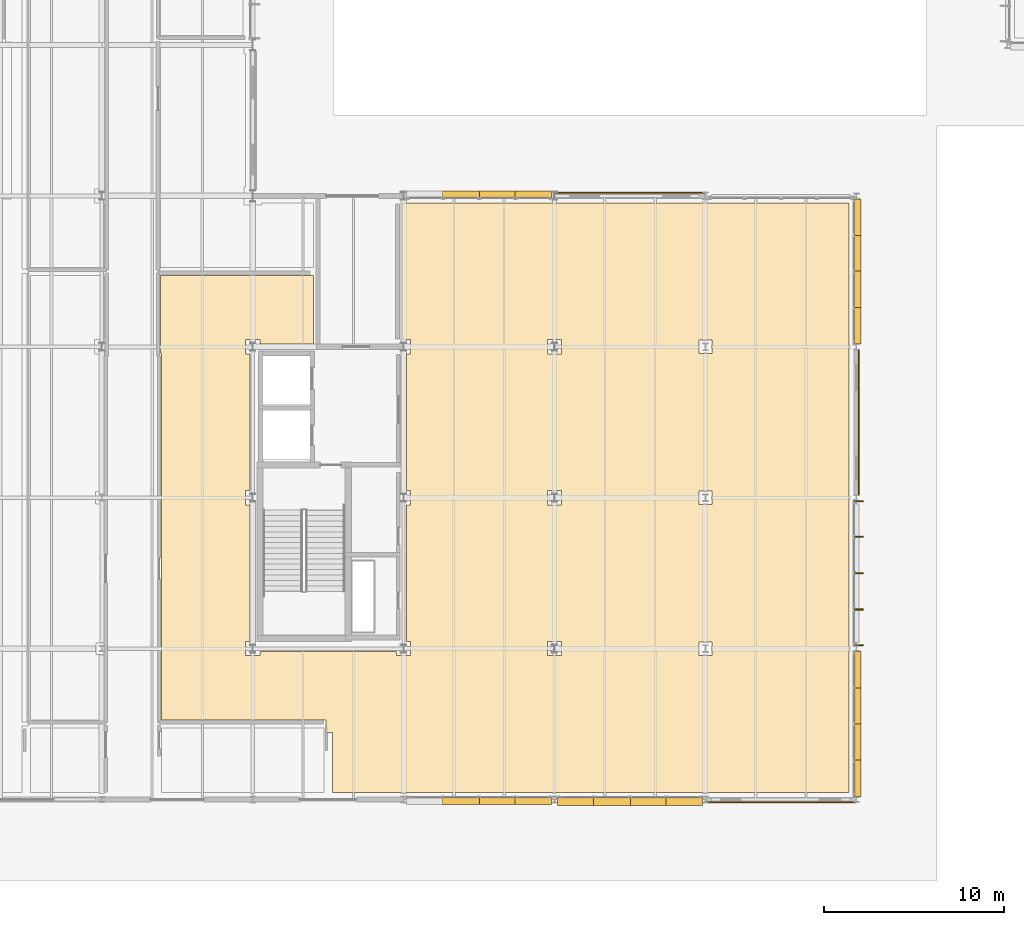
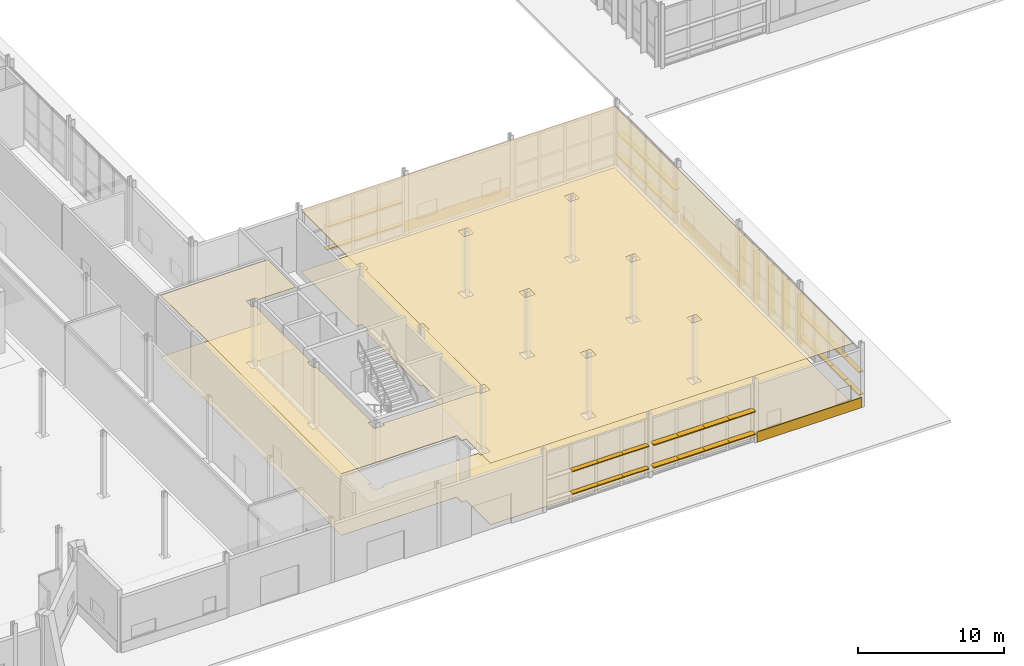
# One storey, part 116 of 124: 41 shading devices, 5 coverings.
"""IFC4 building model written with IfcOpenShell, lengths in metres."""

from ifc_helpers import new_model, si_unit, direction, frame, origin, origin_2d, place, context, subcontext, project, spatial, polyline, rectangle, outline, extrude, material, layer, layer_set, type_object, element, save


model = new_model("IFC4")

# Units and contexts
model_context = context("Model", 3, precision=1e-05, world=origin(), true_north=direction((0.0, 1.0)))
body_context = subcontext(model_context, "Body", "Model", "MODEL_VIEW")
ifc_project = project(units=[si_unit("LENGTHUNIT", "METRE"), si_unit("AREAUNIT", "SQUARE_METRE"), si_unit("VOLUMEUNIT", "CUBIC_METRE"), si_unit("PLANEANGLEUNIT", "RADIAN"), si_unit("MASSUNIT", "GRAM", prefix="KILO")], contexts=[model_context])

# Site, building, storey
site_placement = place(None, origin())
site = spatial("IfcSite", under=ifc_project, at=site_placement, CompositionType="ELEMENT")
building_placement = place(site_placement, origin())
building = spatial("IfcBuilding", under=site, at=building_placement, Name="Mersafa Astral City Hall", CompositionType="ELEMENT")
storey_placement = place(building_placement, origin())
storey = spatial("IfcBuildingStorey", under=building, at=storey_placement, Name="L00", CompositionType="ELEMENT", Elevation=0.0)

# Coverings
ifc_material_1 = material(Name="Cairo Mokattam buff limestone cladding", Category="masonry")
ifc_layer_1 = layer(ifc_material_1, 0.06005859375, Name="Cairo Mokattam buff limestone cladding")
ifc_layer_set_1 = layer_set([ifc_layer_1], Name="Cairo Mokattam buff limestone cladding — ENV-COV-LIMESTONE-60")
covering_type_1 = type_object("IfcCoveringType", Name="ENV-COV-LIMESTONE-60", PredefinedType="CLADDING", material=ifc_layer_set_1)
covering_1_placement = place(storey_placement, frame((147.0, -0.14697265625, 0.0), z_axis=(0.0, 0.0, 1.0), x_axis=(1.0, 0.0, 0.0)))
element("IfcCovering", 1, at=covering_1_placement, inside=storey, type_object=covering_type_1, Name="L00 Cairo buff limestone rainscreen cladding 13", PredefinedType="CLADDING", context=body_context, shape_type="SweptSolid", body=[
    extrude(rectangle(XDim=8.323974609375, YDim=0.06005859375, at=origin_2d()), origin(), (0.0, 0.0, 1.0), 0.860107421875),
])
covering_2_placement = place(storey_placement, frame((151.339599609375, 21.0, 0.0), z_axis=(0.0, 0.0, 1.0), x_axis=(0.0, 1.0, 0.0)))
element("IfcCovering", 2, at=covering_2_placement, inside=storey, type_object=covering_type_1, Name="L00 Cairo buff limestone rainscreen cladding 14", PredefinedType="CLADDING", context=body_context, shape_type="SweptSolid", body=[
    extrude(rectangle(XDim=8.048095703125, YDim=0.06005859375, at=origin_2d()), origin(), (0.0, 0.0, 1.0), 0.860107421875),
])
covering_3_placement = place(storey_placement, frame((138.60009765625, 33.777099609375, 0.0), z_axis=(0.0, 0.0, 1.0), x_axis=(-1.0, 0.0, 0.0)))
element("IfcCovering", 3, at=covering_3_placement, inside=storey, type_object=covering_type_1, Name="L00 Cairo buff limestone rainscreen cladding 15", PredefinedType="CLADDING", context=body_context, shape_type="SweptSolid", body=[
    extrude(rectangle(XDim=8.323974609375, YDim=0.06005859375, at=origin_2d()), origin(), (0.0, 0.0, 1.0), 0.860107421875),
])

# Shading devices
ifc_material_2 = material(Name="Anodised bronze aluminium solar fin", Category="aluminium")
shading_device_type_1 = type_object("IfcShadingDeviceType", Name="ENV-SHD-FIN-500B", PredefinedType="USERDEFINED", material=ifc_material_2)
for number, where, z_axis, x_axis, name in (
    (4, (151.344970703125, 8.592041015625, -0.01513671875), (0.0, 0.0, 1.0), (0.0, 1.0, 0.0), "L00 Vertical bronze solar fin 25"),
    (5, (151.344970703125, 10.5810546875, -0.01513671875), (0.0, 0.0, 1.0), (0.0, 1.0, 0.0), "L00 Vertical bronze solar fin 26"),
    (6, (151.344970703125, 12.60009765625, -0.01513671875), (0.0, 0.0, 1.0), (0.0, 1.0, 0.0), "L00 Vertical bronze solar fin 27"),
    (7, (151.344970703125, 14.618896484375, -0.01513671875), (0.0, 0.0, 1.0), (0.0, 1.0, 0.0), "L00 Vertical bronze solar fin 28"),
    (8, (151.344970703125, 16.60791015625, -0.01513671875), (0.0, 0.0, 1.0), (0.0, 1.0, 0.0), "L00 Vertical bronze solar fin 29"),
):
    element("IfcShadingDevice", number, at=place(storey_placement, frame(where, z_axis=z_axis, x_axis=x_axis)), inside=storey, type_object=shading_device_type_1, Name=name, ObjectType="FIN", PredefinedType="USERDEFINED", context=body_context, shape_type="SweptSolid", body=[
        extrude(rectangle(XDim=0.06005859375, YDim=0.5, at=origin_2d()), origin(), (0.0, 0.0, 1.0), 4.199951171875),
    ])
ifc_material_3 = material(Name="Kiln-dried cedar timber brise-soleil blade", Category="wood")
shading_device_type_2 = type_object("IfcShadingDeviceType", Name="ENV-SHD-LOUVRE-380", PredefinedType="JALOUSIE", material=ifc_material_3)
for number, where, z_axis, x_axis, name in (
    (9, (129.1904296875, -0.080078125, 0.81494140625), (0.0, 0.0, 1.0), (1.0, 0.0, 0.0), "L00 Horizontal cedar brise-soleil louvre 2"),
    (10, (131.20947265625, -0.080078125, 0.81494140625), (0.0, 0.0, 1.0), (1.0, 0.0, 0.0), "L00 Horizontal cedar brise-soleil louvre 3"),
):
    element("IfcShadingDevice", number, at=place(storey_placement, frame(where, z_axis=z_axis, x_axis=x_axis)), inside=storey, type_object=shading_device_type_2, Name=name, PredefinedType="JALOUSIE", context=body_context, shape_type="SweptSolid", body=[
        extrude(rectangle(XDim=2.05908203125, YDim=0.3798828125, at=origin_2d()), origin(), (0.0, 0.0, 1.0), 0.070068359375),
    ])
shading_device_1_placement = place(storey_placement, frame((133.21337890625, -0.080078125, 0.81494140625), z_axis=(0.0, 0.0, 1.0), x_axis=(1.0, 0.0, 0.0)))
element("IfcShadingDevice", 11, at=shading_device_1_placement, inside=storey, type_object=shading_device_type_2, Name="L00 Horizontal cedar brise-soleil louvre 4", PredefinedType="JALOUSIE", context=body_context, shape_type="SweptSolid", body=[
    extrude(rectangle(XDim=2.029052734375, YDim=0.3798828125, at=origin_2d()), origin(), (0.0, 0.0, 1.0), 0.070068359375),
])
for number, where, z_axis, x_axis, name in (
    (12, (129.1904296875, -0.080078125, 2.71484375), (0.0, 0.0, 1.0), (1.0, 0.0, 0.0), "L00 Horizontal cedar brise-soleil louvre 6"),
    (13, (131.20947265625, -0.080078125, 2.71484375), (0.0, 0.0, 1.0), (1.0, 0.0, 0.0), "L00 Horizontal cedar brise-soleil louvre 7"),
):
    element("IfcShadingDevice", number, at=place(storey_placement, frame(where, z_axis=z_axis, x_axis=x_axis)), inside=storey, type_object=shading_device_type_2, Name=name, PredefinedType="JALOUSIE", context=body_context, shape_type="SweptSolid", body=[
        extrude(rectangle(XDim=2.05908203125, YDim=0.3798828125, at=origin_2d()), origin(), (0.0, 0.0, 1.0), 0.070068359375),
    ])
for number, where, z_axis, x_axis, name in (
    (14, (133.21337890625, -0.080078125, 2.71484375), (0.0, 0.0, 1.0), (1.0, 0.0, 0.0), "L00 Horizontal cedar brise-soleil louvre 8"),
    (15, (151.280029296875, 1.1865234375, 0.81494140625), (0.0, 0.0, 1.0), (0.0, 1.0, 0.0), "L00 Horizontal cedar brise-soleil louvre 17"),
):
    element("IfcShadingDevice", number, at=place(storey_placement, frame(where, z_axis=z_axis, x_axis=x_axis)), inside=storey, type_object=shading_device_type_2, Name=name, PredefinedType="JALOUSIE", context=body_context, shape_type="SweptSolid", body=[
        extrude(rectangle(XDim=2.029052734375, YDim=0.3798828125, at=origin_2d()), origin(), (0.0, 0.0, 1.0), 0.070068359375),
    ])
for number, where, z_axis, x_axis, name in (
    (16, (151.280029296875, 3.1904296875, 0.81494140625), (0.0, 0.0, 1.0), (0.0, 1.0, 0.0), "L00 Horizontal cedar brise-soleil louvre 18"),
    (17, (151.280029296875, 5.20947265625, 0.81494140625), (0.0, 0.0, 1.0), (0.0, 1.0, 0.0), "L00 Horizontal cedar brise-soleil louvre 19"),
):
    element("IfcShadingDevice", number, at=place(storey_placement, frame(where, z_axis=z_axis, x_axis=x_axis)), inside=storey, type_object=shading_device_type_2, Name=name, PredefinedType="JALOUSIE", context=body_context, shape_type="SweptSolid", body=[
        extrude(rectangle(XDim=2.05908203125, YDim=0.3798828125, at=origin_2d()), origin(), (0.0, 0.0, 1.0), 0.070068359375),
    ])
for number, where, z_axis, x_axis, name in (
    (18, (151.280029296875, 7.21337890625, 0.81494140625), (0.0, 0.0, 1.0), (0.0, 1.0, 0.0), "L00 Horizontal cedar brise-soleil louvre 20"),
    (19, (151.280029296875, 1.1865234375, 2.71484375), (0.0, 0.0, 1.0), (0.0, 1.0, 0.0), "L00 Horizontal cedar brise-soleil louvre 21"),
):
    element("IfcShadingDevice", number, at=place(storey_placement, frame(where, z_axis=z_axis, x_axis=x_axis)), inside=storey, type_object=shading_device_type_2, Name=name, PredefinedType="JALOUSIE", context=body_context, shape_type="SweptSolid", body=[
        extrude(rectangle(XDim=2.029052734375, YDim=0.3798828125, at=origin_2d()), origin(), (0.0, 0.0, 1.0), 0.070068359375),
    ])
for number, where, z_axis, x_axis, name in (
    (20, (151.280029296875, 3.1904296875, 2.71484375), (0.0, 0.0, 1.0), (0.0, 1.0, 0.0), "L00 Horizontal cedar brise-soleil louvre 22"),
    (21, (151.280029296875, 5.20947265625, 2.71484375), (0.0, 0.0, 1.0), (0.0, 1.0, 0.0), "L00 Horizontal cedar brise-soleil louvre 23"),
):
    element("IfcShadingDevice", number, at=place(storey_placement, frame(where, z_axis=z_axis, x_axis=x_axis)), inside=storey, type_object=shading_device_type_2, Name=name, PredefinedType="JALOUSIE", context=body_context, shape_type="SweptSolid", body=[
        extrude(rectangle(XDim=2.05908203125, YDim=0.3798828125, at=origin_2d()), origin(), (0.0, 0.0, 1.0), 0.070068359375),
    ])
for number, where, z_axis, x_axis, name in (
    (22, (151.280029296875, 7.21337890625, 2.71484375), (0.0, 0.0, 1.0), (0.0, 1.0, 0.0), "L00 Horizontal cedar brise-soleil louvre 24"),
    (23, (151.280029296875, 26.386474609375, 0.81494140625), (0.0, 0.0, 1.0), (0.0, 1.0, 0.0), "L00 Horizontal cedar brise-soleil louvre 30"),
):
    element("IfcShadingDevice", number, at=place(storey_placement, frame(where, z_axis=z_axis, x_axis=x_axis)), inside=storey, type_object=shading_device_type_2, Name=name, PredefinedType="JALOUSIE", context=body_context, shape_type="SweptSolid", body=[
        extrude(rectangle(XDim=2.029052734375, YDim=0.3798828125, at=origin_2d()), origin(), (0.0, 0.0, 1.0), 0.070068359375),
    ])
for number, where, z_axis, x_axis, name in (
    (24, (151.280029296875, 28.390380859375, 0.81494140625), (0.0, 0.0, 1.0), (0.0, 1.0, 0.0), "L00 Horizontal cedar brise-soleil louvre 31"),
    (25, (151.280029296875, 30.409423828125, 0.81494140625), (0.0, 0.0, 1.0), (0.0, 1.0, 0.0), "L00 Horizontal cedar brise-soleil louvre 32"),
):
    element("IfcShadingDevice", number, at=place(storey_placement, frame(where, z_axis=z_axis, x_axis=x_axis)), inside=storey, type_object=shading_device_type_2, Name=name, PredefinedType="JALOUSIE", context=body_context, shape_type="SweptSolid", body=[
        extrude(rectangle(XDim=2.05908203125, YDim=0.3798828125, at=origin_2d()), origin(), (0.0, 0.0, 1.0), 0.070068359375),
    ])
for number, where, z_axis, x_axis, name in (
    (26, (151.280029296875, 32.41357421875, 0.81494140625), (0.0, 0.0, 1.0), (0.0, 1.0, 0.0), "L00 Horizontal cedar brise-soleil louvre 33"),
    (27, (151.280029296875, 26.386474609375, 2.71484375), (0.0, 0.0, 1.0), (0.0, 1.0, 0.0), "L00 Horizontal cedar brise-soleil louvre 34"),
):
    element("IfcShadingDevice", number, at=place(storey_placement, frame(where, z_axis=z_axis, x_axis=x_axis)), inside=storey, type_object=shading_device_type_2, Name=name, PredefinedType="JALOUSIE", context=body_context, shape_type="SweptSolid", body=[
        extrude(rectangle(XDim=2.029052734375, YDim=0.3798828125, at=origin_2d()), origin(), (0.0, 0.0, 1.0), 0.070068359375),
    ])
for number, where, z_axis, x_axis, name in (
    (28, (151.280029296875, 28.390380859375, 2.71484375), (0.0, 0.0, 1.0), (0.0, 1.0, 0.0), "L00 Horizontal cedar brise-soleil louvre 35"),
    (29, (151.280029296875, 30.409423828125, 2.71484375), (0.0, 0.0, 1.0), (0.0, 1.0, 0.0), "L00 Horizontal cedar brise-soleil louvre 36"),
):
    element("IfcShadingDevice", number, at=place(storey_placement, frame(where, z_axis=z_axis, x_axis=x_axis)), inside=storey, type_object=shading_device_type_2, Name=name, PredefinedType="JALOUSIE", context=body_context, shape_type="SweptSolid", body=[
        extrude(rectangle(XDim=2.05908203125, YDim=0.3798828125, at=origin_2d()), origin(), (0.0, 0.0, 1.0), 0.070068359375),
    ])
for number, where, z_axis, x_axis, name in (
    (30, (151.280029296875, 32.41357421875, 2.71484375), (0.0, 0.0, 1.0), (0.0, 1.0, 0.0), "L00 Horizontal cedar brise-soleil louvre 37"),
    (31, (133.21337890625, 33.679931640625, 0.81494140625), (0.0, 0.0, 1.0), (-1.0, 0.0, 0.0), "L00 Horizontal cedar brise-soleil louvre 38"),
):
    element("IfcShadingDevice", number, at=place(storey_placement, frame(where, z_axis=z_axis, x_axis=x_axis)), inside=storey, type_object=shading_device_type_2, Name=name, PredefinedType="JALOUSIE", context=body_context, shape_type="SweptSolid", body=[
        extrude(rectangle(XDim=2.029052734375, YDim=0.3798828125, at=origin_2d()), origin(), (0.0, 0.0, 1.0), 0.070068359375),
    ])
for number, where, z_axis, x_axis, name in (
    (32, (131.20947265625, 33.679931640625, 0.81494140625), (0.0, 0.0, 1.0), (-1.0, 0.0, 0.0), "L00 Horizontal cedar brise-soleil louvre 39"),
    (33, (129.1904296875, 33.679931640625, 0.81494140625), (0.0, 0.0, 1.0), (-1.0, 0.0, 0.0), "L00 Horizontal cedar brise-soleil louvre 40"),
):
    element("IfcShadingDevice", number, at=place(storey_placement, frame(where, z_axis=z_axis, x_axis=x_axis)), inside=storey, type_object=shading_device_type_2, Name=name, PredefinedType="JALOUSIE", context=body_context, shape_type="SweptSolid", body=[
        extrude(rectangle(XDim=2.05908203125, YDim=0.3798828125, at=origin_2d()), origin(), (0.0, 0.0, 1.0), 0.070068359375),
    ])
shading_device_2_placement = place(storey_placement, frame((133.21337890625, 33.679931640625, 2.71484375), z_axis=(0.0, 0.0, 1.0), x_axis=(-1.0, 0.0, 0.0)))
element("IfcShadingDevice", 34, at=shading_device_2_placement, inside=storey, type_object=shading_device_type_2, Name="L00 Horizontal cedar brise-soleil louvre 42", PredefinedType="JALOUSIE", context=body_context, shape_type="SweptSolid", body=[
    extrude(rectangle(XDim=2.029052734375, YDim=0.3798828125, at=origin_2d()), origin(), (0.0, 0.0, 1.0), 0.070068359375),
])
for number, where, z_axis, x_axis, name in (
    (35, (131.20947265625, 33.679931640625, 2.71484375), (0.0, 0.0, 1.0), (-1.0, 0.0, 0.0), "L00 Horizontal cedar brise-soleil louvre 43"),
    (36, (129.1904296875, 33.679931640625, 2.71484375), (0.0, 0.0, 1.0), (-1.0, 0.0, 0.0), "L00 Horizontal cedar brise-soleil louvre 44"),
):
    element("IfcShadingDevice", number, at=place(storey_placement, frame(where, z_axis=z_axis, x_axis=x_axis)), inside=storey, type_object=shading_device_type_2, Name=name, PredefinedType="JALOUSIE", context=body_context, shape_type="SweptSolid", body=[
        extrude(rectangle(XDim=2.05908203125, YDim=0.3798828125, at=origin_2d()), origin(), (0.0, 0.0, 1.0), 0.070068359375),
    ])
shading_device_type_3 = type_object("IfcShadingDeviceType", Name="ENV-SHD-LOUVRE-450", PredefinedType="JALOUSIE", material=ifc_material_3)
shading_device_3_placement = place(storey_placement, frame((135.58642578125, -0.114990234375, 0.81005859375), z_axis=(0.0, 0.0, 1.0), x_axis=(1.0, 0.0, 0.0)))
element("IfcShadingDevice", 37, at=shading_device_3_placement, inside=storey, type_object=shading_device_type_3, Name="L00 Horizontal cedar brise-soleil louvre 9", PredefinedType="JALOUSIE", context=body_context, shape_type="SweptSolid", body=[
    extrude(rectangle(XDim=2.029052734375, YDim=0.449951171875, at=origin_2d()), origin(), (0.0, 0.0, 1.0), 0.080078125),
])
for number, where, z_axis, x_axis, name in (
    (38, (137.590576171875, -0.114990234375, 0.81005859375), (0.0, 0.0, 1.0), (1.0, 0.0, 0.0), "L00 Horizontal cedar brise-soleil louvre 10"),
    (39, (139.609619140625, -0.114990234375, 0.81005859375), (0.0, 0.0, 1.0), (1.0, 0.0, 0.0), "L00 Horizontal cedar brise-soleil louvre 11"),
):
    element("IfcShadingDevice", number, at=place(storey_placement, frame(where, z_axis=z_axis, x_axis=x_axis)), inside=storey, type_object=shading_device_type_3, Name=name, PredefinedType="JALOUSIE", context=body_context, shape_type="SweptSolid", body=[
        extrude(rectangle(XDim=2.05908203125, YDim=0.449951171875, at=origin_2d()), origin(), (0.0, 0.0, 1.0), 0.080078125),
    ])
for number, where, z_axis, x_axis, name in (
    (40, (141.613525390625, -0.114990234375, 0.81005859375), (0.0, 0.0, 1.0), (1.0, 0.0, 0.0), "L00 Horizontal cedar brise-soleil louvre 12"),
    (41, (135.58642578125, -0.114990234375, 2.7099609375), (0.0, 0.0, 1.0), (1.0, 0.0, 0.0), "L00 Horizontal cedar brise-soleil louvre 13"),
):
    element("IfcShadingDevice", number, at=place(storey_placement, frame(where, z_axis=z_axis, x_axis=x_axis)), inside=storey, type_object=shading_device_type_3, Name=name, PredefinedType="JALOUSIE", context=body_context, shape_type="SweptSolid", body=[
        extrude(rectangle(XDim=2.029052734375, YDim=0.449951171875, at=origin_2d()), origin(), (0.0, 0.0, 1.0), 0.080078125),
    ])
for number, where, z_axis, x_axis, name in (
    (42, (137.590576171875, -0.114990234375, 2.7099609375), (0.0, 0.0, 1.0), (1.0, 0.0, 0.0), "L00 Horizontal cedar brise-soleil louvre 14"),
    (43, (139.609619140625, -0.114990234375, 2.7099609375), (0.0, 0.0, 1.0), (1.0, 0.0, 0.0), "L00 Horizontal cedar brise-soleil louvre 15"),
):
    element("IfcShadingDevice", number, at=place(storey_placement, frame(where, z_axis=z_axis, x_axis=x_axis)), inside=storey, type_object=shading_device_type_3, Name=name, PredefinedType="JALOUSIE", context=body_context, shape_type="SweptSolid", body=[
        extrude(rectangle(XDim=2.05908203125, YDim=0.449951171875, at=origin_2d()), origin(), (0.0, 0.0, 1.0), 0.080078125),
    ])
shading_device_4_placement = place(storey_placement, frame((141.613525390625, -0.114990234375, 2.7099609375), z_axis=(0.0, 0.0, 1.0), x_axis=(1.0, 0.0, 0.0)))
element("IfcShadingDevice", 44, at=shading_device_4_placement, inside=storey, type_object=shading_device_type_3, Name="L00 Horizontal cedar brise-soleil louvre 16", PredefinedType="JALOUSIE", context=body_context, shape_type="SweptSolid", body=[
    extrude(rectangle(XDim=2.029052734375, YDim=0.449951171875, at=origin_2d()), origin(), (0.0, 0.0, 1.0), 0.080078125),
])

# Coverings
ifc_material_4 = material(Name="Perforated acoustic gypsum board ceiling", Category="gypsum")
ifc_layer_2 = layer(ifc_material_4, 0.02490234375, Name="Perforated acoustic gypsum board ceiling")
ifc_layer_set_2 = layer_set([ifc_layer_2], Name="Perforated acoustic gypsum board ceiling — INT-COV-CEIL-25")
covering_type_2 = type_object("IfcCoveringType", Name="INT-COV-CEIL-25", PredefinedType="CEILING", material=ifc_layer_set_2)
covering_4_placement = place(storey_placement, frame((0.0, 0.0, 5.156005859375)))
element("IfcCovering", 45, at=covering_4_placement, inside=storey, type_object=covering_type_2, Name="L00 Public Cafe L00-06 acoustic ceiling", PredefinedType="CEILING", context=body_context, shape_type="SweptSolid", body=[
    extrude(outline(polyline([(112.469970703125, 29.169921875), (120.97998046875, 29.169921875), (120.97998046875, 25.360107421875), (117.9951171875, 25.360107421875), (117.9951171875, 25.594970703125), (117.205078125, 25.594970703125), (117.205078125, 24.804931640625), (117.43994140625, 24.804931640625), (117.43994140625, 17.195068359375), (117.205078125, 17.195068359375), (117.205078125, 16.405029296875), (117.43994140625, 16.405029296875), (117.43994140625, 8.794921875), (117.205078125, 8.794921875), (117.205078125, 8.0048828125), (117.9951171875, 8.0048828125), (117.9951171875, 8.239990234375), (125.60498046875, 8.239990234375), (125.60498046875, 8.0048828125), (126.39501953125, 8.0048828125), (126.39501953125, 8.794921875), (126.159912109375, 8.794921875), (126.159912109375, 16.405029296875), (126.39501953125, 16.405029296875), (126.39501953125, 17.195068359375), (126.159912109375, 17.195068359375), (126.159912109375, 24.804931640625), (126.39501953125, 24.804931640625), (126.39501953125, 25.594970703125), (125.919921875, 25.594970703125), (125.919921875, 33.199951171875), (150.800048828125, 33.199951171875), (150.800048828125, 0.39990234375), (122.030029296875, 0.39990234375), (122.030029296875, 3.72998046875), (121.679931640625, 3.72998046875), (121.679931640625, 4.429931640625), (112.52001953125, 4.429931640625), (112.52001953125, 24.820068359375), (112.469970703125, 24.820068359375), (112.469970703125, 29.169921875)]), holes=[polyline([(142.429931640625, 8.030029296875), (143.169921875, 8.030029296875), (143.169921875, 8.77001953125), (142.429931640625, 8.77001953125), (142.429931640625, 8.030029296875)]), polyline([(142.429931640625, 16.429931640625), (143.169921875, 16.429931640625), (143.169921875, 17.169921875), (142.429931640625, 17.169921875), (142.429931640625, 16.429931640625)]), polyline([(142.429931640625, 24.830078125), (143.169921875, 24.830078125), (143.169921875, 25.570068359375), (142.429931640625, 25.570068359375), (142.429931640625, 24.830078125)]), polyline([(134.794921875, 8.0048828125), (134.794921875, 8.794921875), (134.0048828125, 8.794921875), (134.0048828125, 8.0048828125), (134.794921875, 8.0048828125)]), polyline([(134.0048828125, 16.405029296875), (134.794921875, 16.405029296875), (134.794921875, 17.195068359375), (134.0048828125, 17.195068359375), (134.0048828125, 16.405029296875)]), polyline([(134.0048828125, 24.804931640625), (134.794921875, 24.804931640625), (134.794921875, 25.594970703125), (134.0048828125, 25.594970703125), (134.0048828125, 24.804931640625)])]), origin(), (0.0, 0.0, 1.0), 0.02490234375),
])
ifc_material_5 = material(Name="Honed Cairo limestone terrazzo flooring", Category="masonry")
ifc_layer_3 = layer(ifc_material_5, 0.02001953125, Name="Honed Cairo limestone terrazzo flooring")
ifc_layer_set_3 = layer_set([ifc_layer_3], Name="Honed Cairo limestone terrazzo flooring — INT-COV-FLR-20")
covering_type_3 = type_object("IfcCoveringType", Name="INT-COV-FLR-20", PredefinedType="FLOORING", material=ifc_layer_set_3)
covering_5_placement = place(storey_placement, frame((0.0, 0.0, -0.00146484375)))
element("IfcCovering", 46, at=covering_5_placement, inside=storey, type_object=covering_type_3, Name="L00 Public Cafe L00-06 architectural flooring", PredefinedType="FLOORING", context=body_context, shape_type="SweptSolid", body=[
    extrude(outline(polyline([(112.469970703125, 29.169921875), (120.97998046875, 29.169921875), (120.97998046875, 25.360107421875), (117.9951171875, 25.360107421875), (117.9951171875, 25.594970703125), (117.205078125, 25.594970703125), (117.205078125, 24.804931640625), (117.43994140625, 24.804931640625), (117.43994140625, 17.195068359375), (117.205078125, 17.195068359375), (117.205078125, 16.405029296875), (117.43994140625, 16.405029296875), (117.43994140625, 8.794921875), (117.205078125, 8.794921875), (117.205078125, 8.0048828125), (117.9951171875, 8.0048828125), (117.9951171875, 8.239990234375), (125.60498046875, 8.239990234375), (125.60498046875, 8.0048828125), (126.39501953125, 8.0048828125), (126.39501953125, 8.794921875), (126.159912109375, 8.794921875), (126.159912109375, 16.405029296875), (126.39501953125, 16.405029296875), (126.39501953125, 17.195068359375), (126.159912109375, 17.195068359375), (126.159912109375, 24.804931640625), (126.39501953125, 24.804931640625), (126.39501953125, 25.594970703125), (125.919921875, 25.594970703125), (125.919921875, 33.199951171875), (150.800048828125, 33.199951171875), (150.800048828125, 0.39990234375), (122.030029296875, 0.39990234375), (122.030029296875, 3.72998046875), (121.679931640625, 3.72998046875), (121.679931640625, 4.429931640625), (112.52001953125, 4.429931640625), (112.52001953125, 24.820068359375), (112.469970703125, 24.820068359375), (112.469970703125, 29.169921875)]), holes=[polyline([(142.429931640625, 8.030029296875), (143.169921875, 8.030029296875), (143.169921875, 8.77001953125), (142.429931640625, 8.77001953125), (142.429931640625, 8.030029296875)]), polyline([(142.429931640625, 16.429931640625), (143.169921875, 16.429931640625), (143.169921875, 17.169921875), (142.429931640625, 17.169921875), (142.429931640625, 16.429931640625)]), polyline([(142.429931640625, 24.830078125), (143.169921875, 24.830078125), (143.169921875, 25.570068359375), (142.429931640625, 25.570068359375), (142.429931640625, 24.830078125)]), polyline([(134.794921875, 8.0048828125), (134.794921875, 8.794921875), (134.0048828125, 8.794921875), (134.0048828125, 8.0048828125), (134.794921875, 8.0048828125)]), polyline([(134.0048828125, 16.405029296875), (134.794921875, 16.405029296875), (134.794921875, 17.195068359375), (134.0048828125, 17.195068359375), (134.0048828125, 16.405029296875)]), polyline([(134.0048828125, 24.804931640625), (134.794921875, 24.804931640625), (134.794921875, 25.594970703125), (134.0048828125, 25.594970703125), (134.0048828125, 24.804931640625)])]), origin(), (0.0, 0.0, 1.0), 0.02001953125),
])

save(model, "model.ifc")
